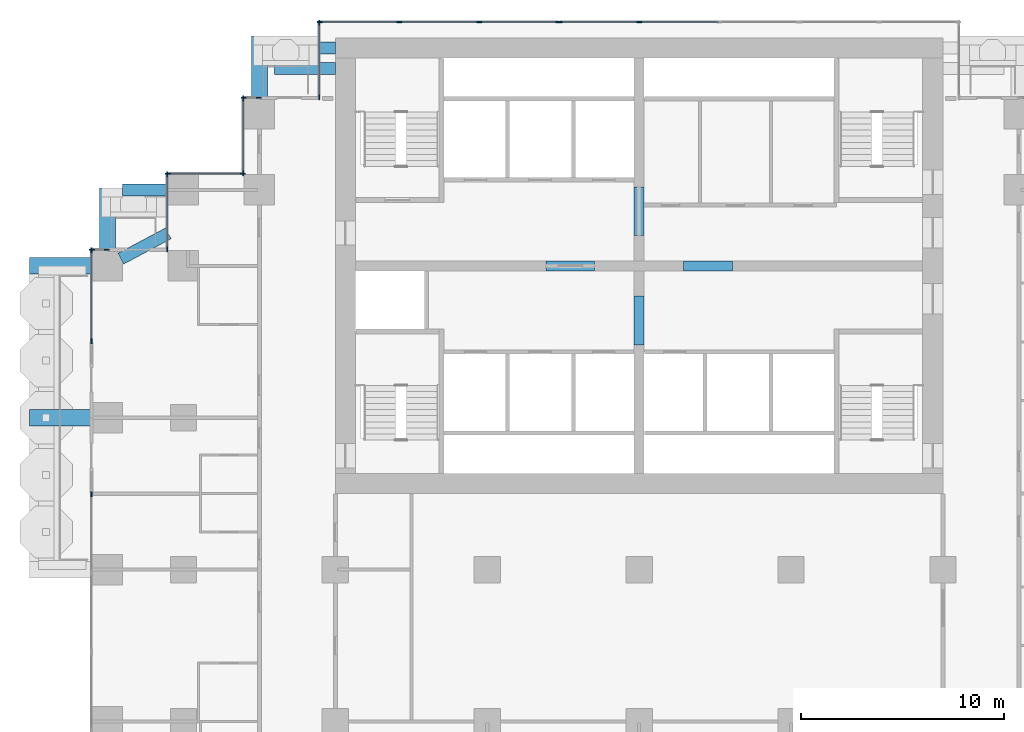
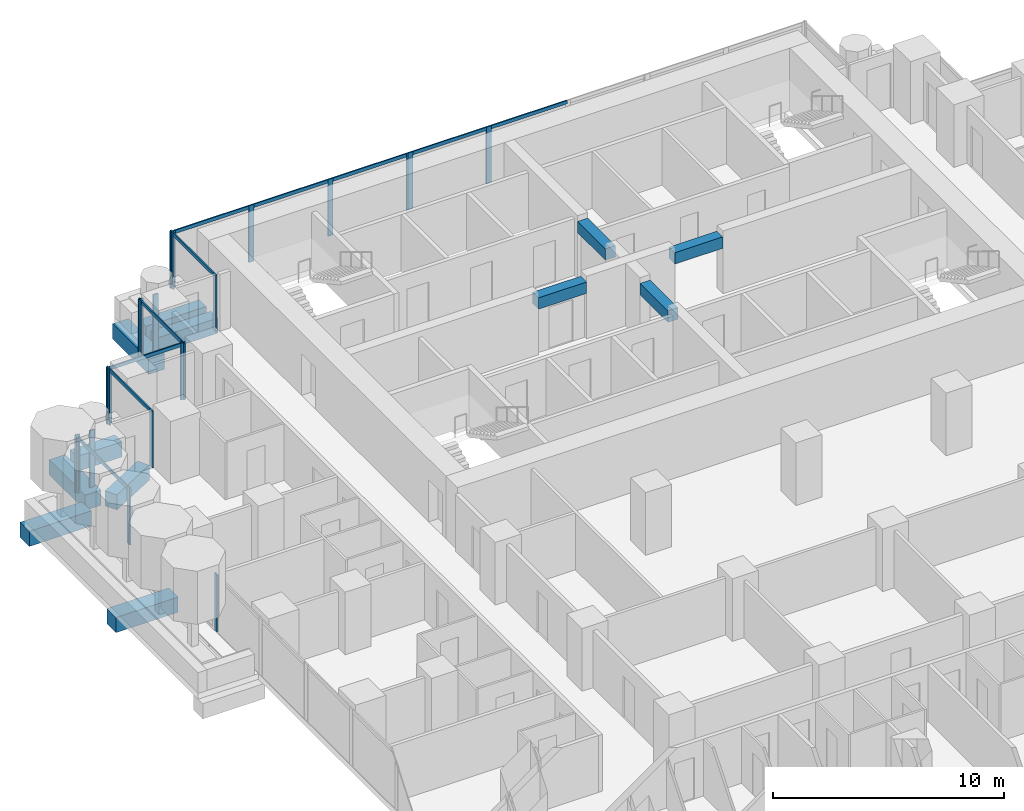
# One storey, part 5 of 19: 31 members, 12 beams, 10 elements without a shape of their own.
"""IFC4 building model written with IfcOpenShell, lengths in metres."""

from ifc_helpers import new_model, si_unit, direction, frame, origin, origin_2d, place, context, subcontext, project, spatial, rectangle, extrude, material, material_profile, profile_set, type_object, element, aggregate, save


model = new_model("IFC4")

# Units and contexts
model_context = context("Model", 3, precision=1e-05, world=origin(), true_north=direction((0.0, 1.0)))
body_context = subcontext(model_context, "Body", "Model", "MODEL_VIEW")
ifc_project = project(units=[si_unit("LENGTHUNIT", "METRE"), si_unit("AREAUNIT", "SQUARE_METRE"), si_unit("VOLUMEUNIT", "CUBIC_METRE"), si_unit("PLANEANGLEUNIT", "RADIAN"), si_unit("MASSUNIT", "GRAM", prefix="KILO")], contexts=[model_context])

# Site, building, storey
site_placement = place(None, origin())
site = spatial("IfcSite", under=ifc_project, at=site_placement, CompositionType="ELEMENT")
building_placement = place(site_placement, origin())
building = spatial("IfcBuilding", under=site, at=building_placement, Name="Pilkhan Gate Tower", CompositionType="ELEMENT")
storey_placement = place(building_placement, frame((0.0, 0.0, 89.0)))
storey = spatial("IfcBuildingStorey", under=building, at=storey_placement, Name="L21", CompositionType="ELEMENT", Elevation=89.0)

# Beams
ifc_material_1 = material(Name="Concrete C50/60", Category="concrete")
ifc_material_profile_1 = material_profile(ifc_material_1, rectangle(XDim=0.60009765625, YDim=0.800048828125, at=origin_2d()), Name="RC 600x800")
ifc_profile_set_1 = profile_set([ifc_material_profile_1], Name="Concrete C50/60")
beam_type_1 = type_object("IfcBeamType", Name="Cantilever beam CB1 RC 600x800 C50/60", PredefinedType="BEAM", material=ifc_profile_set_1)
for number, where, z_axis, x_axis, name in (
    (1, (60.0, 93.25, -0.699951171875), (-1.0, 0.0, 0.0), (0.0, -1.0, 0.0), "Balcony beam NW.2 L21"),
    (2, (60.0, 92.25, -0.699951171875), (-1.0, 0.0, 0.0), (0.0, -1.0, 0.0), "Balcony beam NW.3 L21"),
):
    element("IfcBeam", number, at=place(storey_placement, frame(where, z_axis=z_axis, x_axis=x_axis)), inside=storey, type_object=beam_type_1, Name=name, PredefinedType="BEAM", context=body_context, shape_type="SweptSolid", body=[
        extrude(rectangle(XDim=0.60009765625, YDim=0.800048828125, at=origin_2d()), origin(), (0.0, 0.0, 1.0), 3.0),
    ])
beam_1_placement = place(storey_placement, frame((51.75, 86.25, -0.699951171875), z_axis=(-1.0, 0.0, 0.0), x_axis=(0.0, -1.0, 0.0)))
element("IfcBeam", 3, at=beam_1_placement, inside=storey, type_object=beam_type_1, Name="Balcony beam NW2.2 L21", PredefinedType="BEAM", context=body_context, shape_type="SweptSolid", body=[
    extrude(rectangle(XDim=0.60009765625, YDim=0.800048828125, at=origin_2d()), origin(), (0.0, 0.0, 1.0), 2.25),
])
beam_2_placement = place(storey_placement, frame((49.411865234375, 82.85302734375, -0.699951171875), z_axis=(0.882342739565, 0.470607362817, 0.0), x_axis=(-0.470607362817, 0.882342739565, 0.0)))
element("IfcBeam", 4, at=beam_2_placement, inside=storey, type_object=beam_type_1, Name="Balcony beam NW2.3 L21", PredefinedType="BEAM", context=body_context, shape_type="SweptSolid", body=[
    extrude(rectangle(XDim=0.60009765625, YDim=0.800048828125, at=origin_2d()), origin(), (0.0, 0.0, 1.0), 2.64990234375),
])
ifc_material_profile_2 = material_profile(ifc_material_1, rectangle(XDim=0.800048828125, YDim=0.800048828125, at=origin_2d()), Name="RC 800x800")
ifc_profile_set_2 = profile_set([ifc_material_profile_2], Name="Concrete C50/60")
beam_type_2 = type_object("IfcBeamType", Name="Cantilever beam CB2 RC 800x800 C50/60", PredefinedType="BEAM", material=ifc_profile_set_2)
for number, where, z_axis, x_axis, name in (
    (5, (56.25, 90.75, -0.699951171875), (0.0, 1.0, 0.0), (-1.0, 0.0, 0.0), "Balcony beam NW.1 L21"),
    (6, (48.75, 83.25, -0.699951171875), (0.0, 1.0, 0.0), (-1.0, 0.0, 0.0), "Balcony beam NW2.1 L21"),
    (7, (48.0, 75.0, -0.699951171875), (-1.0, 0.0, 0.0), (0.0, -1.0, 0.0), "Balcony beam W.2 L21"),
    (8, (48.0, 82.5, -0.699951171875), (-1.0, 0.0, 0.0), (0.0, -1.0, 0.0), "Balcony beam W.3 L21"),
):
    element("IfcBeam", number, at=place(storey_placement, frame(where, z_axis=z_axis, x_axis=x_axis)), inside=storey, type_object=beam_type_2, Name=name, PredefinedType="BEAM", context=body_context, shape_type="SweptSolid", body=[
        extrude(rectangle(XDim=0.800048828125, YDim=0.800048828125, at=origin_2d()), origin(), (0.0, 0.0, 1.0), 3.10009765625),
    ])
ifc_material_2 = material(Name="Concrete C70/85", Category="concrete")
ifc_material_profile_3 = material_profile(ifc_material_2, rectangle(XDim=0.5, YDim=0.60009765625, at=origin_2d()), Name="RC 500x600")
ifc_profile_set_3 = profile_set([ifc_material_profile_3], Name="Concrete C70/85")
beam_type_3 = type_object("IfcBeamType", Name="Coupling beam CB60 RC 500x600 C70/85", PredefinedType="LINTEL", material=ifc_profile_set_3)
for number, where, z_axis, x_axis, name in (
    (9, (70.39990234375, 82.5, 2.699951171875), (1.0, 0.0, 0.0), (0.0, 1.0, 0.0), "Coupling beam 1 L21"),
    (10, (77.199951171875, 82.5, 2.699951171875), (1.0, 0.0, 0.0), (0.0, 1.0, 0.0), "Coupling beam 2 L21"),
):
    element("IfcBeam", number, at=place(storey_placement, frame(where, z_axis=z_axis, x_axis=x_axis)), inside=storey, type_object=beam_type_3, Name=name, PredefinedType="LINTEL", context=body_context, shape_type="SweptSolid", body=[
        extrude(rectangle(XDim=0.5, YDim=0.60009765625, at=origin_2d()), origin(), (0.0, 0.0, 1.0), 2.400146484375),
    ])
for number, where, z_axis, x_axis, name in (
    (11, (75.0, 78.60009765625, 2.699951171875), (0.0, 1.0, 0.0), (-1.0, 0.0, 0.0), "Coupling beam 3 L21"),
    (12, (75.0, 84.0, 2.699951171875), (0.0, 1.0, 0.0), (-1.0, 0.0, 0.0), "Coupling beam 4 L21"),
):
    element("IfcBeam", number, at=place(storey_placement, frame(where, z_axis=z_axis, x_axis=x_axis)), inside=storey, type_object=beam_type_3, Name=name, PredefinedType="LINTEL", context=body_context, shape_type="SweptSolid", body=[
        extrude(rectangle(XDim=0.5, YDim=0.60009765625, at=origin_2d()), origin(), (0.0, 0.0, 1.0), 2.39990234375),
    ])

# Curtain wall, members
ifc_material_3 = material(Name="Pale anodised aluminium, clear low-iron double glazing", Category="aluminium")
curtain_wall_type = type_object("IfcCurtainWallType", Name="Hotel unitised curtain wall CW-H", PredefinedType="USERDEFINED", material=ifc_material_3)
curtain_wall_1_placement = place(storey_placement, origin())
curtain_wall_1 = element("IfcCurtainWall", 13, at=curtain_wall_1_placement, inside=storey, type_object=curtain_wall_type, Name="Hotel unitised curtain wall CW-H L21 N", ObjectType="UNITISED CURTAIN WALL", PredefinedType="USERDEFINED")
ifc_material_4 = material(Name="Pale anodised aluminium", Category="aluminium")
ifc_material_profile_4 = material_profile(ifc_material_4, rectangle(XDim=0.06494140625, YDim=0.25, at=origin_2d()), Name="Mullion 250x65")
ifc_profile_set_4 = profile_set([ifc_material_profile_4], Name="Pale anodised aluminium")
member_type_1 = type_object("IfcMemberType", Name="Mullion CW-H 250x65", PredefinedType="MULLION", material=ifc_profile_set_4)
member_1_placement = place(storey_placement, frame((59.237548828125, 94.544921875, 0.0), z_axis=(0.0, 0.0, 1.0), x_axis=(0.0, 1.0, 0.0)))
member_1 = element("IfcMember", 14, at=member_1_placement, type_object=member_type_1, Name="CW-H mullion 1", PredefinedType="MULLION", context=body_context, shape_type="SweptSolid", body=[
    extrude(rectangle(XDim=0.06494140625, YDim=0.25, at=origin_2d()), origin(), (0.0, 0.0, 1.0), 3.0),
])
member_2_placement = place(storey_placement, frame((63.15380859375, 94.544921875, 0.0), z_axis=(0.0, 0.0, 1.0), x_axis=(0.0, 1.0, 0.0)))
member_2 = element("IfcMember", 15, at=member_2_placement, type_object=member_type_1, Name="CW-H mullion 2", PredefinedType="MULLION", context=body_context, shape_type="SweptSolid", body=[
    extrude(rectangle(XDim=0.06494140625, YDim=0.25, at=origin_2d()), origin(), (0.0, 0.0, 1.0), 3.0),
])
member_3_placement = place(storey_placement, frame((67.1025390625, 94.544921875, 0.0), z_axis=(0.0, 0.0, 1.0), x_axis=(0.0, 1.0, 0.0)))
member_3 = element("IfcMember", 16, at=member_3_placement, type_object=member_type_1, Name="CW-H mullion 3", PredefinedType="MULLION", context=body_context, shape_type="SweptSolid", body=[
    extrude(rectangle(XDim=0.06494140625, YDim=0.25, at=origin_2d()), origin(), (0.0, 0.0, 1.0), 3.0),
])
member_4_placement = place(storey_placement, frame((71.018798828125, 94.544921875, 0.0), z_axis=(0.0, 0.0, 1.0), x_axis=(0.0, 1.0, 0.0)))
member_4 = element("IfcMember", 17, at=member_4_placement, type_object=member_type_1, Name="CW-H mullion 4", PredefinedType="MULLION", context=body_context, shape_type="SweptSolid", body=[
    extrude(rectangle(XDim=0.06494140625, YDim=0.25, at=origin_2d()), origin(), (0.0, 0.0, 1.0), 3.0),
])

curtain_wall_2_placement = place(storey_placement, origin())
curtain_wall_2 = element("IfcCurtainWall", 18, at=curtain_wall_2_placement, inside=storey, type_object=curtain_wall_type, Name="Hotel unitised curtain wall CW-H L21 N", ObjectType="UNITISED CURTAIN WALL", PredefinedType="USERDEFINED")
member_5_placement = place(storey_placement, frame((71.083740234375, 94.544921875, 0.0), z_axis=(0.0, 0.0, 1.0), x_axis=(0.0, 1.0, 0.0)))
member_5 = element("IfcMember", 19, at=member_5_placement, type_object=member_type_1, Name="CW-H mullion 1", PredefinedType="MULLION", context=body_context, shape_type="SweptSolid", body=[
    extrude(rectangle(XDim=0.06494140625, YDim=0.25, at=origin_2d()), origin(), (0.0, 0.0, 1.0), 3.0),
])
member_6_placement = place(storey_placement, frame((75.0, 94.544921875, 0.0), z_axis=(0.0, 0.0, 1.0), x_axis=(0.0, 1.0, 0.0)))
member_6 = element("IfcMember", 20, at=member_6_placement, type_object=member_type_1, Name="CW-H mullion 2", PredefinedType="MULLION", context=body_context, shape_type="SweptSolid", body=[
    extrude(rectangle(XDim=0.06494140625, YDim=0.25, at=origin_2d()), origin(), (0.0, 0.0, 1.0), 3.0),
])

curtain_wall_3_placement = place(storey_placement, origin())
curtain_wall_3 = element("IfcCurtainWall", 21, at=curtain_wall_3_placement, inside=storey, type_object=curtain_wall_type, Name="Hotel unitised curtain wall CW-H L21 W", ObjectType="UNITISED CURTAIN WALL", PredefinedType="USERDEFINED")
member_7_placement = place(storey_placement, frame((59.205078125, 90.827392578125, 0.0), z_axis=(0.0, 0.0, 1.0), x_axis=(-1.0, 0.0, 0.0)))
member_7 = element("IfcMember", 22, at=member_7_placement, type_object=member_type_1, Name="CW-H mullion 1", PredefinedType="MULLION", context=body_context, shape_type="SweptSolid", body=[
    extrude(rectangle(XDim=0.06494140625, YDim=0.25, at=origin_2d()), origin(), (0.0, 0.0, 1.0), 3.0),
])
member_8_placement = place(storey_placement, frame((59.205078125, 94.512451171875, 0.0), z_axis=(0.0, 0.0, 1.0), x_axis=(-1.0, 0.0, 0.0)))
member_8 = element("IfcMember", 23, at=member_8_placement, type_object=member_type_1, Name="CW-H mullion 2", PredefinedType="MULLION", context=body_context, shape_type="SweptSolid", body=[
    extrude(rectangle(XDim=0.06494140625, YDim=0.25, at=origin_2d()), origin(), (0.0, 0.0, 1.0), 3.0),
])

curtain_wall_4_placement = place(storey_placement, origin())
curtain_wall_4 = element("IfcCurtainWall", 24, at=curtain_wall_4_placement, inside=storey, type_object=curtain_wall_type, Name="Hotel unitised curtain wall CW-H L21 N", ObjectType="UNITISED CURTAIN WALL", PredefinedType="USERDEFINED")
member_9_placement = place(storey_placement, frame((55.487548828125, 90.794921875, 0.0), z_axis=(0.0, 0.0, 1.0), x_axis=(0.0, 1.0, 0.0)))
member_9 = element("IfcMember", 25, at=member_9_placement, type_object=member_type_1, Name="CW-H mullion 1", PredefinedType="MULLION", context=body_context, shape_type="SweptSolid", body=[
    extrude(rectangle(XDim=0.06494140625, YDim=0.25, at=origin_2d()), origin(), (0.0, 0.0, 1.0), 3.0),
])
member_10_placement = place(storey_placement, frame((56.217529296875, 90.794921875, 0.0), z_axis=(0.0, 0.0, 1.0), x_axis=(0.0, 1.0, 0.0)))
member_10 = element("IfcMember", 26, at=member_10_placement, type_object=member_type_1, Name="CW-H mullion 2", PredefinedType="MULLION", context=body_context, shape_type="SweptSolid", body=[
    extrude(rectangle(XDim=0.06494140625, YDim=0.25, at=origin_2d()), origin(), (0.0, 0.0, 1.0), 3.0),
])
aggregate(curtain_wall_4, [member_9, member_10])

curtain_wall_5_placement = place(storey_placement, origin())
curtain_wall_5 = element("IfcCurtainWall", 27, at=curtain_wall_5_placement, inside=storey, type_object=curtain_wall_type, Name="Hotel unitised curtain wall CW-H L21 W", ObjectType="UNITISED CURTAIN WALL", PredefinedType="USERDEFINED")
member_11_placement = place(storey_placement, frame((55.455078125, 87.077392578125, 0.0), z_axis=(0.0, 0.0, 1.0), x_axis=(-1.0, 0.0, 0.0)))
member_11 = element("IfcMember", 28, at=member_11_placement, type_object=member_type_1, Name="CW-H mullion 1", PredefinedType="MULLION", context=body_context, shape_type="SweptSolid", body=[
    extrude(rectangle(XDim=0.06494140625, YDim=0.25, at=origin_2d()), origin(), (0.0, 0.0, 1.0), 3.0),
])
member_12_placement = place(storey_placement, frame((55.455078125, 90.762451171875, 0.0), z_axis=(0.0, 0.0, 1.0), x_axis=(-1.0, 0.0, 0.0)))
member_12 = element("IfcMember", 29, at=member_12_placement, type_object=member_type_1, Name="CW-H mullion 2", PredefinedType="MULLION", context=body_context, shape_type="SweptSolid", body=[
    extrude(rectangle(XDim=0.06494140625, YDim=0.25, at=origin_2d()), origin(), (0.0, 0.0, 1.0), 3.0),
])

curtain_wall_6_placement = place(storey_placement, origin())
curtain_wall_6 = element("IfcCurtainWall", 30, at=curtain_wall_6_placement, inside=storey, type_object=curtain_wall_type, Name="Hotel unitised curtain wall CW-H L21 N", ObjectType="UNITISED CURTAIN WALL", PredefinedType="USERDEFINED")
member_13_placement = place(storey_placement, frame((51.737548828125, 87.044921875, 0.0), z_axis=(0.0, 0.0, 1.0), x_axis=(0.0, 1.0, 0.0)))
member_13 = element("IfcMember", 31, at=member_13_placement, type_object=member_type_1, Name="CW-H mullion 1", PredefinedType="MULLION", context=body_context, shape_type="SweptSolid", body=[
    extrude(rectangle(XDim=0.06494140625, YDim=0.25, at=origin_2d()), origin(), (0.0, 0.0, 1.0), 3.0),
])
member_14_placement = place(storey_placement, frame((55.422607421875, 87.044921875, 0.0), z_axis=(0.0, 0.0, 1.0), x_axis=(0.0, 1.0, 0.0)))
member_14 = element("IfcMember", 32, at=member_14_placement, type_object=member_type_1, Name="CW-H mullion 2", PredefinedType="MULLION", context=body_context, shape_type="SweptSolid", body=[
    extrude(rectangle(XDim=0.06494140625, YDim=0.25, at=origin_2d()), origin(), (0.0, 0.0, 1.0), 3.0),
])

curtain_wall_7_placement = place(storey_placement, origin())
curtain_wall_7 = element("IfcCurtainWall", 33, at=curtain_wall_7_placement, inside=storey, type_object=curtain_wall_type, Name="Hotel unitised curtain wall CW-H L21 W", ObjectType="UNITISED CURTAIN WALL", PredefinedType="USERDEFINED")
member_15_placement = place(storey_placement, frame((51.705078125, 83.327392578125, 0.0), z_axis=(0.0, 0.0, 1.0), x_axis=(-1.0, 0.0, 0.0)))
member_15 = element("IfcMember", 34, at=member_15_placement, type_object=member_type_1, Name="CW-H mullion 1", PredefinedType="MULLION", context=body_context, shape_type="SweptSolid", body=[
    extrude(rectangle(XDim=0.06494140625, YDim=0.25, at=origin_2d()), origin(), (0.0, 0.0, 1.0), 3.0),
])
member_16_placement = place(storey_placement, frame((51.705078125, 87.012451171875, 0.0), z_axis=(0.0, 0.0, 1.0), x_axis=(-1.0, 0.0, 0.0)))
member_16 = element("IfcMember", 35, at=member_16_placement, type_object=member_type_1, Name="CW-H mullion 2", PredefinedType="MULLION", context=body_context, shape_type="SweptSolid", body=[
    extrude(rectangle(XDim=0.06494140625, YDim=0.25, at=origin_2d()), origin(), (0.0, 0.0, 1.0), 3.0),
])

curtain_wall_8_placement = place(storey_placement, origin())
curtain_wall_8 = element("IfcCurtainWall", 36, at=curtain_wall_8_placement, inside=storey, type_object=curtain_wall_type, Name="Hotel unitised curtain wall CW-H L21 N", ObjectType="UNITISED CURTAIN WALL", PredefinedType="USERDEFINED")
member_17_placement = place(storey_placement, frame((47.987548828125, 83.294921875, 0.0), z_axis=(0.0, 0.0, 1.0), x_axis=(0.0, 1.0, 0.0)))
member_17 = element("IfcMember", 37, at=member_17_placement, type_object=member_type_1, Name="CW-H mullion 1", PredefinedType="MULLION", context=body_context, shape_type="SweptSolid", body=[
    extrude(rectangle(XDim=0.06494140625, YDim=0.25, at=origin_2d()), origin(), (0.0, 0.0, 1.0), 3.0),
])
member_18_placement = place(storey_placement, frame((48.717529296875, 83.294921875, 0.0), z_axis=(0.0, 0.0, 1.0), x_axis=(0.0, 1.0, 0.0)))
member_18 = element("IfcMember", 38, at=member_18_placement, type_object=member_type_1, Name="CW-H mullion 2", PredefinedType="MULLION", context=body_context, shape_type="SweptSolid", body=[
    extrude(rectangle(XDim=0.06494140625, YDim=0.25, at=origin_2d()), origin(), (0.0, 0.0, 1.0), 3.0),
])
aggregate(curtain_wall_8, [member_17, member_18])

# Curtain wall, member
curtain_wall_9_placement = place(storey_placement, origin())
curtain_wall_9 = element("IfcCurtainWall", 39, at=curtain_wall_9_placement, inside=storey, type_object=curtain_wall_type, Name="Hotel unitised curtain wall CW-H L21 W", ObjectType="UNITISED CURTAIN WALL", PredefinedType="USERDEFINED")
member_19_placement = place(storey_placement, frame((47.955078125, 71.217529296875, 0.0), z_axis=(0.0, 0.0, 1.0), x_axis=(-1.0, 0.0, 0.0)))
member_19 = element("IfcMember", 40, at=member_19_placement, type_object=member_type_1, Name="CW-H mullion 3", PredefinedType="MULLION", context=body_context, shape_type="SweptSolid", body=[
    extrude(rectangle(XDim=0.06494140625, YDim=0.25, at=origin_2d()), origin(), (0.0, 0.0, 1.0), 3.0),
])
aggregate(curtain_wall_9, [member_19])

# Curtain wall, members
curtain_wall_10_placement = place(storey_placement, origin())
curtain_wall_10 = element("IfcCurtainWall", 41, at=curtain_wall_10_placement, inside=storey, type_object=curtain_wall_type, Name="Hotel unitised curtain wall CW-H L21 W", ObjectType="UNITISED CURTAIN WALL", PredefinedType="USERDEFINED")
member_20_placement = place(storey_placement, frame((47.955078125, 78.782470703125, 0.0), z_axis=(0.0, 0.0, 1.0), x_axis=(-1.0, 0.0, 0.0)))
member_20 = element("IfcMember", 42, at=member_20_placement, type_object=member_type_1, Name="CW-H mullion 1", PredefinedType="MULLION", context=body_context, shape_type="SweptSolid", body=[
    extrude(rectangle(XDim=0.06494140625, YDim=0.25, at=origin_2d()), origin(), (0.0, 0.0, 1.0), 3.0),
])
member_21_placement = place(storey_placement, frame((47.955078125, 83.262451171875, 0.0), z_axis=(0.0, 0.0, 1.0), x_axis=(-1.0, 0.0, 0.0)))
member_21 = element("IfcMember", 43, at=member_21_placement, type_object=member_type_1, Name="CW-H mullion 2", PredefinedType="MULLION", context=body_context, shape_type="SweptSolid", body=[
    extrude(rectangle(XDim=0.06494140625, YDim=0.25, at=origin_2d()), origin(), (0.0, 0.0, 1.0), 3.0),
])

# Member
ifc_material_profile_5 = material_profile(ifc_material_4, rectangle(XDim=0.06494140625, YDim=0.179931640625, at=origin_2d()), Name="Transom 180x65")
ifc_profile_set_5 = profile_set([ifc_material_profile_5], Name="Pale anodised aluminium")
member_type_2 = type_object("IfcMemberType", Name="Transom CW-H 180x65", PredefinedType="USERDEFINED", material=ifc_profile_set_5)
member_22_placement = place(storey_placement, frame((59.27001953125, 94.544921875, 2.909912109375), z_axis=(1.0, 0.0, 0.0), x_axis=(0.0, 1.0, 0.0)))
member_22 = element("IfcMember", 44, at=member_22_placement, type_object=member_type_2, Name="CW-H transom 1", ObjectType="TRANSOM", PredefinedType="USERDEFINED", context=body_context, shape_type="SweptSolid", body=[
    extrude(rectangle(XDim=0.06494140625, YDim=0.179931640625, at=origin_2d()), origin(), (0.0, 0.0, 1.0), 3.851318359375),
])

member_23_placement = place(storey_placement, frame((63.186279296875, 94.544921875, 2.909912109375), z_axis=(1.0, 0.0, 0.0), x_axis=(0.0, 1.0, 0.0)))
member_23 = element("IfcMember", 45, at=member_23_placement, type_object=member_type_2, Name="CW-H transom 2", ObjectType="TRANSOM", PredefinedType="USERDEFINED", context=body_context, shape_type="SweptSolid", body=[
    extrude(rectangle(XDim=0.06494140625, YDim=0.179931640625, at=origin_2d()), origin(), (0.0, 0.0, 1.0), 3.8837890625),
])

member_24_placement = place(storey_placement, frame((67.135009765625, 94.544921875, 2.909912109375), z_axis=(1.0, 0.0, 0.0), x_axis=(0.0, 1.0, 0.0)))
member_24 = element("IfcMember", 46, at=member_24_placement, type_object=member_type_2, Name="CW-H transom 3", ObjectType="TRANSOM", PredefinedType="USERDEFINED", context=body_context, shape_type="SweptSolid", body=[
    extrude(rectangle(XDim=0.06494140625, YDim=0.179931640625, at=origin_2d()), origin(), (0.0, 0.0, 1.0), 3.851318359375),
])

aggregate(curtain_wall_1, [member_1, member_2, member_3, member_4, member_22, member_23, member_24])

member_25_placement = place(storey_placement, frame((71.1162109375, 94.544921875, 2.909912109375), z_axis=(1.0, 0.0, 0.0), x_axis=(0.0, 1.0, 0.0)))
member_25 = element("IfcMember", 47, at=member_25_placement, type_object=member_type_2, Name="CW-H transom 1", ObjectType="TRANSOM", PredefinedType="USERDEFINED", context=body_context, shape_type="SweptSolid", body=[
    extrude(rectangle(XDim=0.06494140625, YDim=0.179931640625, at=origin_2d()), origin(), (0.0, 0.0, 1.0), 3.851318359375),
])

member_26_placement = place(storey_placement, frame((75.032470703125, 94.544921875, 2.909912109375), z_axis=(1.0, 0.0, 0.0), x_axis=(0.0, 1.0, 0.0)))
member_26 = element("IfcMember", 48, at=member_26_placement, type_object=member_type_2, Name="CW-H transom 2", ObjectType="TRANSOM", PredefinedType="USERDEFINED", context=body_context, shape_type="SweptSolid", body=[
    extrude(rectangle(XDim=0.06494140625, YDim=0.179931640625, at=origin_2d()), origin(), (0.0, 0.0, 1.0), 3.8837890625),
])

aggregate(curtain_wall_2, [member_5, member_6, member_25, member_26])

member_27_placement = place(storey_placement, frame((59.205078125, 90.860107421875, 2.909912109375), z_axis=(0.0, 1.0, 0.0), x_axis=(-1.0, 0.0, 0.0)))
member_27 = element("IfcMember", 49, at=member_27_placement, type_object=member_type_2, Name="CW-H transom 1", ObjectType="TRANSOM", PredefinedType="USERDEFINED", context=body_context, shape_type="SweptSolid", body=[
    extrude(rectangle(XDim=0.06494140625, YDim=0.179931640625, at=origin_2d()), origin(), (0.0, 0.0, 1.0), 3.619873046875),
])

aggregate(curtain_wall_3, [member_7, member_8, member_27])

member_28_placement = place(storey_placement, frame((55.455078125, 87.110107421875, 2.909912109375), z_axis=(0.0, 1.0, 0.0), x_axis=(-1.0, 0.0, 0.0)))
member_28 = element("IfcMember", 50, at=member_28_placement, type_object=member_type_2, Name="CW-H transom 1", ObjectType="TRANSOM", PredefinedType="USERDEFINED", context=body_context, shape_type="SweptSolid", body=[
    extrude(rectangle(XDim=0.06494140625, YDim=0.179931640625, at=origin_2d()), origin(), (0.0, 0.0, 1.0), 3.619873046875),
])

aggregate(curtain_wall_5, [member_11, member_12, member_28])

member_29_placement = place(storey_placement, frame((51.77001953125, 87.044921875, 2.909912109375), z_axis=(1.0, 0.0, 0.0), x_axis=(0.0, 1.0, 0.0)))
member_29 = element("IfcMember", 51, at=member_29_placement, type_object=member_type_2, Name="CW-H transom 1", ObjectType="TRANSOM", PredefinedType="USERDEFINED", context=body_context, shape_type="SweptSolid", body=[
    extrude(rectangle(XDim=0.06494140625, YDim=0.179931640625, at=origin_2d()), origin(), (0.0, 0.0, 1.0), 3.619873046875),
])

aggregate(curtain_wall_6, [member_13, member_14, member_29])

member_30_placement = place(storey_placement, frame((51.705078125, 83.360107421875, 2.909912109375), z_axis=(0.0, 1.0, 0.0), x_axis=(-1.0, 0.0, 0.0)))
member_30 = element("IfcMember", 52, at=member_30_placement, type_object=member_type_2, Name="CW-H transom 1", ObjectType="TRANSOM", PredefinedType="USERDEFINED", context=body_context, shape_type="SweptSolid", body=[
    extrude(rectangle(XDim=0.06494140625, YDim=0.179931640625, at=origin_2d()), origin(), (0.0, 0.0, 1.0), 3.619873046875),
])

aggregate(curtain_wall_7, [member_15, member_16, member_30])

member_31_placement = place(storey_placement, frame((47.955078125, 78.81494140625, 2.909912109375), z_axis=(0.0, 1.0, 0.0), x_axis=(-1.0, 0.0, 0.0)))
member_31 = element("IfcMember", 53, at=member_31_placement, type_object=member_type_2, Name="CW-H transom 1", ObjectType="TRANSOM", PredefinedType="USERDEFINED", context=body_context, shape_type="SweptSolid", body=[
    extrude(rectangle(XDim=0.06494140625, YDim=0.179931640625, at=origin_2d()), origin(), (0.0, 0.0, 1.0), 4.4150390625),
])

aggregate(curtain_wall_10, [member_20, member_21, member_31])

save(model, "model.ifc")
